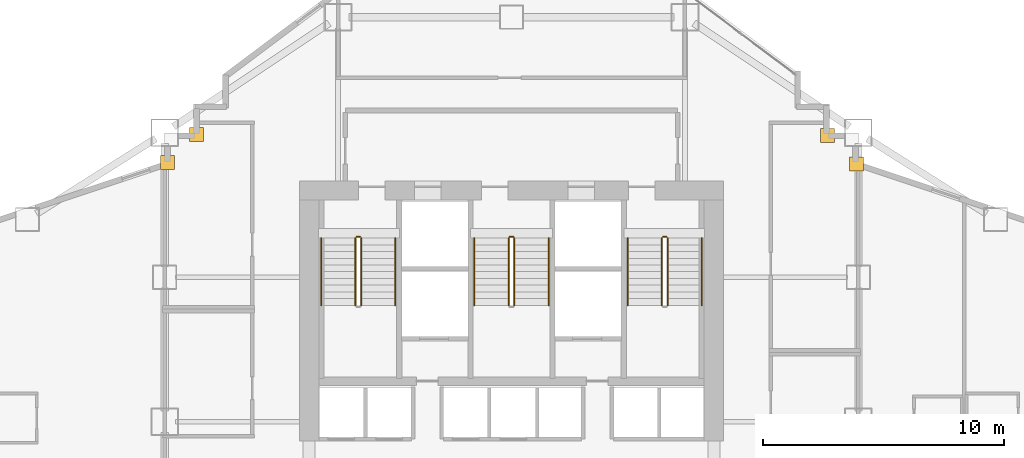
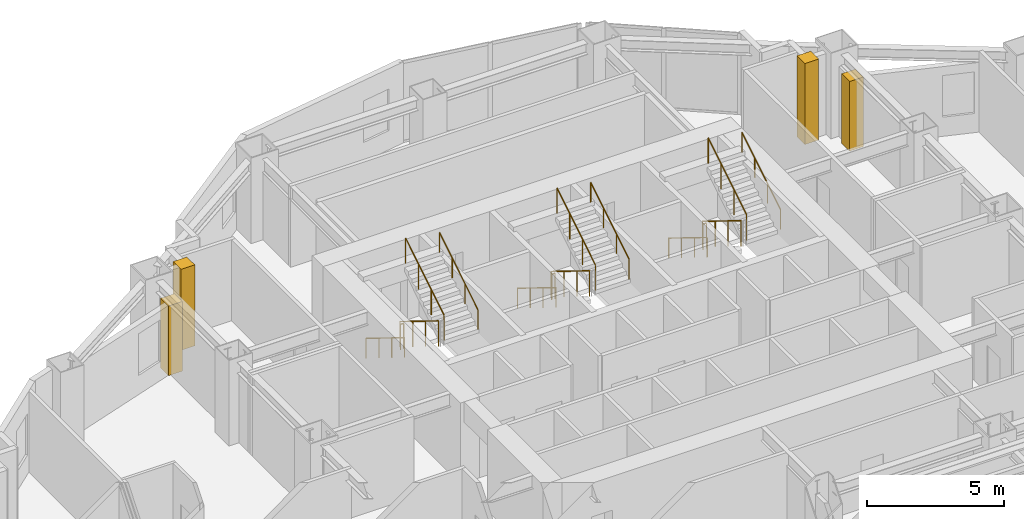
# One storey, part 16 of 17: 15 railings, 4 coverings.
"""IFC4 building model written with IfcOpenShell, lengths in metres."""

from ifc_helpers import new_model, si_unit, direction, frame, origin, origin_2d, place, context, subcontext, project, spatial, rectangle, circle, extrude, material, layer, layer_set, type_object, element, save


model = new_model("IFC4")

# Units and contexts
model_context = context("Model", 3, precision=1e-05, world=origin(), true_north=direction((0.0, 1.0)))
body_context = subcontext(model_context, "Body", "Model", "MODEL_VIEW")
ifc_project = project(units=[si_unit("LENGTHUNIT", "METRE"), si_unit("AREAUNIT", "SQUARE_METRE"), si_unit("VOLUMEUNIT", "CUBIC_METRE"), si_unit("PLANEANGLEUNIT", "RADIAN"), si_unit("MASSUNIT", "GRAM", prefix="KILO")], contexts=[model_context])

# Site, building, storey
site_placement = place(None, origin())
site = spatial("IfcSite", under=ifc_project, at=site_placement, CompositionType="ELEMENT")
building_placement = place(site_placement, origin())
building = spatial("IfcBuilding", under=site, at=building_placement, Name="Haolan Belvedere Tower", CompositionType="ELEMENT")
storey_placement = place(building_placement, frame((0.0, 0.0, 59.0)))
storey = spatial("IfcBuildingStorey", under=building, at=storey_placement, Name="L14", CompositionType="ELEMENT", Elevation=59.0)

# Coverings
ifc_material_1 = material(Name="Pale champagne-silver anodised aluminium rainscreen cladding", Category="aluminium")
ifc_layer = layer(ifc_material_1, 0.034912109375, Name="Pale champagne-silver anodised aluminium rainscreen cladding")
ifc_layer_set = layer_set([ifc_layer], Name="Pale champagne-silver anodised aluminium rainscreen cladding")
covering_type = type_object("IfcCoveringType", Name="COV-CLAD-35", PredefinedType="CLADDING", material=ifc_layer_set)
covering_1_placement = place(storey_placement, frame((52.72021484375, 44.300048828125, 0.0), z_axis=(0.0, 0.0, 1.0), x_axis=(1.0, 0.0, 0.0)))
element("IfcCovering", 1, at=covering_1_placement, inside=storey, type_object=covering_type, Name="L14 pale-metal serrated corner cladding trim 7", PredefinedType="CLADDING", context=body_context, shape_type="SweptSolid", body=[
    extrude(rectangle(XDim=0.580078125, YDim=0.580078125, at=origin_2d()), origin(), (0.0, 0.0, 1.0), 3.096923828125),
])
for number, where, z_axis, x_axis, name in (
    (2, (51.5224609375, 45.47998046875, 0.0), (0.0, 0.0, 1.0), (1.0, 0.0, 0.0), "L14 pale-metal serrated corner cladding trim 8"),
    (3, (25.320068359375, 45.5224609375, 0.0), (0.0, 0.0, 1.0), (1.0, 0.0, 0.0), "L14 pale-metal serrated corner cladding trim 9"),
):
    element("IfcCovering", number, at=place(storey_placement, frame(where, z_axis=z_axis, x_axis=x_axis)), inside=storey, type_object=covering_type, Name=name, PredefinedType="CLADDING", context=body_context, shape_type="SweptSolid", body=[
        extrude(rectangle(XDim=0.580078125, YDim=0.580078125, at=origin_2d()), origin(), (0.0, 0.0, 1.0), 3.60009765625),
    ])
covering_2_placement = place(storey_placement, frame((24.1201171875, 44.35595703125, 0.0), z_axis=(0.0, 0.0, 1.0), x_axis=(1.0, 0.0, 0.0)))
element("IfcCovering", 4, at=covering_2_placement, inside=storey, type_object=covering_type, Name="L14 pale-metal serrated corner cladding trim 10", PredefinedType="CLADDING", context=body_context, shape_type="SweptSolid", body=[
    extrude(rectangle(XDim=0.580078125, YDim=0.580078125, at=origin_2d()), origin(), (0.0, 0.0, 1.0), 3.096923828125),
])

# Railings
ifc_material_2 = material(Name="Brushed stainless steel 304", Category="steel")
railing_type_1 = type_object("IfcRailingType", Name="RL-STAIR-GRD-1150", PredefinedType="GUARDRAIL", material=ifc_material_2)
railing_1_placement = place(storey_placement, frame((31.919921875, 41.22998046875, 0.172607421875)))
element("IfcRailing", 5, at=railing_1_placement, inside=storey, type_object=railing_type_1, Name="L14 ST1 stair guard 1", PredefinedType="GUARDRAIL", context=body_context, shape_type="SweptSolid", body=[
    extrude(circle(Radius=0.02392578125, at=origin_2d()), frame((0.0, 0.0, 1.1259765625), z_axis=(0.0, -0.851089632645, 0.525020415988), x_axis=(1.0, 0.0, 0.0)), (0.0, 0.0, 1.0), 3.2900390625),
    extrude(circle(Radius=0.02099609375, at=origin_2d()), origin(), (0.0, 0.0, 1.0), 1.101806640625),
    extrude(circle(Radius=0.02099609375, at=origin_2d()), frame((0.0, -0.933349609375, 0.57568359375)), (0.0, 0.0, 1.0), 1.101806640625),
    extrude(circle(Radius=0.02099609375, at=origin_2d()), frame((0.0, -1.86669921875, 1.151611328125)), (0.0, 0.0, 1.0), 1.101806640625),
    extrude(circle(Radius=0.02099609375, at=origin_2d()), frame((0.0, -2.800048828125, 1.727294921875)), (0.0, 0.0, 1.0), 1.101806640625),
])
railing_2_placement = place(storey_placement, frame((32.159912109375, 38.429931640625, 2.07275390625)))
element("IfcRailing", 6, at=railing_2_placement, inside=storey, type_object=railing_type_1, Name="L14 ST1 stair guard 3", PredefinedType="GUARDRAIL", context=body_context, shape_type="SweptSolid", body=[
    extrude(circle(Radius=0.02392578125, at=origin_2d()), frame((0.0, 0.0, 1.1259765625), z_axis=(0.0, 0.851089632645, 0.525020415988), x_axis=(-1.0, 0.0, 0.0)), (0.0, 0.0, 1.0), 3.2900390625),
    extrude(circle(Radius=0.02099609375, at=origin_2d()), origin(), (0.0, 0.0, 1.0), 1.101806640625),
    extrude(circle(Radius=0.02099609375, at=origin_2d()), frame((0.0, 0.933349609375, 0.57568359375)), (0.0, 0.0, 1.0), 1.101806640625),
    extrude(circle(Radius=0.02099609375, at=origin_2d()), frame((0.0, 1.86669921875, 1.151611328125)), (0.0, 0.0, 1.0), 1.101806640625),
    extrude(circle(Radius=0.02099609375, at=origin_2d()), frame((0.0, 2.800048828125, 1.727294921875)), (0.0, 0.0, 1.0), 1.101806640625),
])
railing_3_placement = place(storey_placement, frame((31.969970703125, 41.280029296875, 0.0)))
element("IfcRailing", 7, at=railing_3_placement, inside=storey, type_object=railing_type_1, Name="L14 ST1 stair guard 4", PredefinedType="GUARDRAIL", context=body_context, shape_type="SweptSolid", body=[
    extrude(circle(Radius=0.02392578125, at=origin_2d()), frame((0.0, 0.0, 1.1259765625), z_axis=(1.0, 0.0, 0.0), x_axis=(0.0, 1.0, 0.0)), (0.0, 0.0, 1.0), 0.14013671875),
    extrude(circle(Radius=0.02099609375, at=origin_2d()), origin(), (0.0, 0.0, 1.0), 1.101806640625),
    extrude(circle(Radius=0.02099609375, at=origin_2d()), frame((0.14013671875, 0.0, 0.0)), (0.0, 0.0, 1.0), 1.101806640625),
])
railing_4_placement = place(storey_placement, frame((38.280029296875, 41.22998046875, 0.172607421875)))
element("IfcRailing", 8, at=railing_4_placement, inside=storey, type_object=railing_type_1, Name="L14 ST3 stair guard 1", PredefinedType="GUARDRAIL", context=body_context, shape_type="SweptSolid", body=[
    extrude(circle(Radius=0.02392578125, at=origin_2d()), frame((0.0, 0.0, 1.1259765625), z_axis=(0.0, -0.851089632645, 0.525020415988), x_axis=(1.0, 0.0, 0.0)), (0.0, 0.0, 1.0), 3.2900390625),
    extrude(circle(Radius=0.02099609375, at=origin_2d()), origin(), (0.0, 0.0, 1.0), 1.101806640625),
    extrude(circle(Radius=0.02099609375, at=origin_2d()), frame((0.0, -0.933349609375, 0.57568359375)), (0.0, 0.0, 1.0), 1.101806640625),
    extrude(circle(Radius=0.02099609375, at=origin_2d()), frame((0.0, -1.86669921875, 1.151611328125)), (0.0, 0.0, 1.0), 1.101806640625),
    extrude(circle(Radius=0.02099609375, at=origin_2d()), frame((0.0, -2.800048828125, 1.727294921875)), (0.0, 0.0, 1.0), 1.101806640625),
])
railing_5_placement = place(storey_placement, frame((38.52001953125, 38.429931640625, 2.07275390625)))
element("IfcRailing", 9, at=railing_5_placement, inside=storey, type_object=railing_type_1, Name="L14 ST3 stair guard 3", PredefinedType="GUARDRAIL", context=body_context, shape_type="SweptSolid", body=[
    extrude(circle(Radius=0.02392578125, at=origin_2d()), frame((0.0, 0.0, 1.1259765625), z_axis=(0.0, 0.851089632645, 0.525020415988), x_axis=(-1.0, 0.0, 0.0)), (0.0, 0.0, 1.0), 3.2900390625),
    extrude(circle(Radius=0.02099609375, at=origin_2d()), origin(), (0.0, 0.0, 1.0), 1.101806640625),
    extrude(circle(Radius=0.02099609375, at=origin_2d()), frame((0.0, 0.933349609375, 0.57568359375)), (0.0, 0.0, 1.0), 1.101806640625),
    extrude(circle(Radius=0.02099609375, at=origin_2d()), frame((0.0, 1.86669921875, 1.151611328125)), (0.0, 0.0, 1.0), 1.101806640625),
    extrude(circle(Radius=0.02099609375, at=origin_2d()), frame((0.0, 2.800048828125, 1.727294921875)), (0.0, 0.0, 1.0), 1.101806640625),
])
railing_6_placement = place(storey_placement, frame((38.330078125, 41.280029296875, 0.0)))
element("IfcRailing", 10, at=railing_6_placement, inside=storey, type_object=railing_type_1, Name="L14 ST3 stair guard 4", PredefinedType="GUARDRAIL", context=body_context, shape_type="SweptSolid", body=[
    extrude(circle(Radius=0.02392578125, at=origin_2d()), frame((0.0, 0.0, 1.1259765625), z_axis=(1.0, 0.0, 0.0), x_axis=(0.0, 1.0, 0.0)), (0.0, 0.0, 1.0), 0.139892578125),
    extrude(circle(Radius=0.02099609375, at=origin_2d()), origin(), (0.0, 0.0, 1.0), 1.101806640625),
    extrude(circle(Radius=0.02099609375, at=origin_2d()), frame((0.139892578125, 0.0, 0.0)), (0.0, 0.0, 1.0), 1.101806640625),
])
railing_7_placement = place(storey_placement, frame((44.639892578125, 41.22998046875, 0.172607421875)))
element("IfcRailing", 11, at=railing_7_placement, inside=storey, type_object=railing_type_1, Name="L14 ST2 stair guard 1", PredefinedType="GUARDRAIL", context=body_context, shape_type="SweptSolid", body=[
    extrude(circle(Radius=0.02392578125, at=origin_2d()), frame((0.0, 0.0, 1.1259765625), z_axis=(0.0, -0.851089632645, 0.525020415988), x_axis=(1.0, 0.0, 0.0)), (0.0, 0.0, 1.0), 3.2900390625),
    extrude(circle(Radius=0.02099609375, at=origin_2d()), origin(), (0.0, 0.0, 1.0), 1.101806640625),
    extrude(circle(Radius=0.02099609375, at=origin_2d()), frame((0.0, -0.933349609375, 0.57568359375)), (0.0, 0.0, 1.0), 1.101806640625),
    extrude(circle(Radius=0.02099609375, at=origin_2d()), frame((0.0, -1.86669921875, 1.151611328125)), (0.0, 0.0, 1.0), 1.101806640625),
    extrude(circle(Radius=0.02099609375, at=origin_2d()), frame((0.0, -2.800048828125, 1.727294921875)), (0.0, 0.0, 1.0), 1.101806640625),
])
railing_8_placement = place(storey_placement, frame((44.8798828125, 38.429931640625, 2.07275390625)))
element("IfcRailing", 12, at=railing_8_placement, inside=storey, type_object=railing_type_1, Name="L14 ST2 stair guard 3", PredefinedType="GUARDRAIL", context=body_context, shape_type="SweptSolid", body=[
    extrude(circle(Radius=0.02392578125, at=origin_2d()), frame((0.0, 0.0, 1.1259765625), z_axis=(0.0, 0.851089632645, 0.525020415988), x_axis=(-1.0, 0.0, 0.0)), (0.0, 0.0, 1.0), 3.2900390625),
    extrude(circle(Radius=0.02099609375, at=origin_2d()), origin(), (0.0, 0.0, 1.0), 1.101806640625),
    extrude(circle(Radius=0.02099609375, at=origin_2d()), frame((0.0, 0.933349609375, 0.57568359375)), (0.0, 0.0, 1.0), 1.101806640625),
    extrude(circle(Radius=0.02099609375, at=origin_2d()), frame((0.0, 1.86669921875, 1.151611328125)), (0.0, 0.0, 1.0), 1.101806640625),
    extrude(circle(Radius=0.02099609375, at=origin_2d()), frame((0.0, 2.800048828125, 1.727294921875)), (0.0, 0.0, 1.0), 1.101806640625),
])
railing_9_placement = place(storey_placement, frame((44.68994140625, 41.280029296875, 0.0)))
element("IfcRailing", 13, at=railing_9_placement, inside=storey, type_object=railing_type_1, Name="L14 ST2 stair guard 4", PredefinedType="GUARDRAIL", context=body_context, shape_type="SweptSolid", body=[
    extrude(circle(Radius=0.02392578125, at=origin_2d()), frame((0.0, 0.0, 1.1259765625), z_axis=(1.0, 0.0, 0.0), x_axis=(0.0, 1.0, 0.0)), (0.0, 0.0, 1.0), 0.14013671875),
    extrude(circle(Radius=0.02099609375, at=origin_2d()), origin(), (0.0, 0.0, 1.0), 1.101806640625),
    extrude(circle(Radius=0.02099609375, at=origin_2d()), frame((0.14013671875, 0.0, 0.0)), (0.0, 0.0, 1.0), 1.101806640625),
])
railing_type_2 = type_object("IfcRailingType", Name="RL-STAIR-HND-900", PredefinedType="HANDRAIL", material=ifc_material_2)
railing_10_placement = place(storey_placement, frame((30.5, 41.22998046875, 0.172607421875)))
element("IfcRailing", 14, at=railing_10_placement, inside=storey, type_object=railing_type_2, Name="L14 ST1 stair handrail 1", PredefinedType="HANDRAIL", context=body_context, shape_type="SweptSolid", body=[
    extrude(circle(Radius=0.02392578125, at=origin_2d()), frame((0.0, 0.0, 0.8759765625), z_axis=(0.0, -0.851089632645, 0.525020415988), x_axis=(1.0, 0.0, 0.0)), (0.0, 0.0, 1.0), 3.2900390625),
    extrude(circle(Radius=0.02099609375, at=origin_2d()), origin(), (0.0, 0.0, 1.0), 0.851806640625),
    extrude(circle(Radius=0.02099609375, at=origin_2d()), frame((0.0, -0.933349609375, 0.57568359375)), (0.0, 0.0, 1.0), 0.851806640625),
    extrude(circle(Radius=0.02099609375, at=origin_2d()), frame((0.0, -1.86669921875, 1.151611328125)), (0.0, 0.0, 1.0), 0.851806640625),
    extrude(circle(Radius=0.02099609375, at=origin_2d()), frame((0.0, -2.800048828125, 1.727294921875)), (0.0, 0.0, 1.0), 0.851806640625),
])
railing_11_placement = place(storey_placement, frame((33.580078125, 38.429931640625, 2.07275390625)))
element("IfcRailing", 15, at=railing_11_placement, inside=storey, type_object=railing_type_2, Name="L14 ST1 stair handrail 2", PredefinedType="HANDRAIL", context=body_context, shape_type="SweptSolid", body=[
    extrude(circle(Radius=0.02392578125, at=origin_2d()), frame((0.0, 0.0, 0.8759765625), z_axis=(0.0, 0.851089632645, 0.525020415988), x_axis=(-1.0, 0.0, 0.0)), (0.0, 0.0, 1.0), 3.2900390625),
    extrude(circle(Radius=0.02099609375, at=origin_2d()), origin(), (0.0, 0.0, 1.0), 0.851806640625),
    extrude(circle(Radius=0.02099609375, at=origin_2d()), frame((0.0, 0.933349609375, 0.57568359375)), (0.0, 0.0, 1.0), 0.851806640625),
    extrude(circle(Radius=0.02099609375, at=origin_2d()), frame((0.0, 1.86669921875, 1.151611328125)), (0.0, 0.0, 1.0), 0.851806640625),
    extrude(circle(Radius=0.02099609375, at=origin_2d()), frame((0.0, 2.800048828125, 1.727294921875)), (0.0, 0.0, 1.0), 0.851806640625),
])
railing_12_placement = place(storey_placement, frame((36.860107421875, 41.22998046875, 0.172607421875)))
element("IfcRailing", 16, at=railing_12_placement, inside=storey, type_object=railing_type_2, Name="L14 ST3 stair handrail 1", PredefinedType="HANDRAIL", context=body_context, shape_type="SweptSolid", body=[
    extrude(circle(Radius=0.02392578125, at=origin_2d()), frame((0.0, 0.0, 0.8759765625), z_axis=(0.0, -0.851089632645, 0.525020415988), x_axis=(1.0, 0.0, 0.0)), (0.0, 0.0, 1.0), 3.2900390625),
    extrude(circle(Radius=0.02099609375, at=origin_2d()), origin(), (0.0, 0.0, 1.0), 0.851806640625),
    extrude(circle(Radius=0.02099609375, at=origin_2d()), frame((0.0, -0.933349609375, 0.57568359375)), (0.0, 0.0, 1.0), 0.851806640625),
    extrude(circle(Radius=0.02099609375, at=origin_2d()), frame((0.0, -1.86669921875, 1.151611328125)), (0.0, 0.0, 1.0), 0.851806640625),
    extrude(circle(Radius=0.02099609375, at=origin_2d()), frame((0.0, -2.800048828125, 1.727294921875)), (0.0, 0.0, 1.0), 0.851806640625),
])
railing_13_placement = place(storey_placement, frame((39.93994140625, 38.429931640625, 2.07275390625)))
element("IfcRailing", 17, at=railing_13_placement, inside=storey, type_object=railing_type_2, Name="L14 ST3 stair handrail 2", PredefinedType="HANDRAIL", context=body_context, shape_type="SweptSolid", body=[
    extrude(circle(Radius=0.02392578125, at=origin_2d()), frame((0.0, 0.0, 0.8759765625), z_axis=(0.0, 0.851089632645, 0.525020415988), x_axis=(-1.0, 0.0, 0.0)), (0.0, 0.0, 1.0), 3.2900390625),
    extrude(circle(Radius=0.02099609375, at=origin_2d()), origin(), (0.0, 0.0, 1.0), 0.851806640625),
    extrude(circle(Radius=0.02099609375, at=origin_2d()), frame((0.0, 0.933349609375, 0.57568359375)), (0.0, 0.0, 1.0), 0.851806640625),
    extrude(circle(Radius=0.02099609375, at=origin_2d()), frame((0.0, 1.86669921875, 1.151611328125)), (0.0, 0.0, 1.0), 0.851806640625),
    extrude(circle(Radius=0.02099609375, at=origin_2d()), frame((0.0, 2.800048828125, 1.727294921875)), (0.0, 0.0, 1.0), 0.851806640625),
])
railing_14_placement = place(storey_placement, frame((43.219970703125, 41.22998046875, 0.172607421875)))
element("IfcRailing", 18, at=railing_14_placement, inside=storey, type_object=railing_type_2, Name="L14 ST2 stair handrail 1", PredefinedType="HANDRAIL", context=body_context, shape_type="SweptSolid", body=[
    extrude(circle(Radius=0.02392578125, at=origin_2d()), frame((0.0, 0.0, 0.8759765625), z_axis=(0.0, -0.851089632645, 0.525020415988), x_axis=(1.0, 0.0, 0.0)), (0.0, 0.0, 1.0), 3.2900390625),
    extrude(circle(Radius=0.02099609375, at=origin_2d()), origin(), (0.0, 0.0, 1.0), 0.851806640625),
    extrude(circle(Radius=0.02099609375, at=origin_2d()), frame((0.0, -0.933349609375, 0.57568359375)), (0.0, 0.0, 1.0), 0.851806640625),
    extrude(circle(Radius=0.02099609375, at=origin_2d()), frame((0.0, -1.86669921875, 1.151611328125)), (0.0, 0.0, 1.0), 0.851806640625),
    extrude(circle(Radius=0.02099609375, at=origin_2d()), frame((0.0, -2.800048828125, 1.727294921875)), (0.0, 0.0, 1.0), 0.851806640625),
])
railing_15_placement = place(storey_placement, frame((46.300048828125, 38.429931640625, 2.07275390625)))
element("IfcRailing", 19, at=railing_15_placement, inside=storey, type_object=railing_type_2, Name="L14 ST2 stair handrail 2", PredefinedType="HANDRAIL", context=body_context, shape_type="SweptSolid", body=[
    extrude(circle(Radius=0.02392578125, at=origin_2d()), frame((0.0, 0.0, 0.8759765625), z_axis=(0.0, 0.851089632645, 0.525020415988), x_axis=(-1.0, 0.0, 0.0)), (0.0, 0.0, 1.0), 3.2900390625),
    extrude(circle(Radius=0.02099609375, at=origin_2d()), origin(), (0.0, 0.0, 1.0), 0.851806640625),
    extrude(circle(Radius=0.02099609375, at=origin_2d()), frame((0.0, 0.933349609375, 0.57568359375)), (0.0, 0.0, 1.0), 0.851806640625),
    extrude(circle(Radius=0.02099609375, at=origin_2d()), frame((0.0, 1.86669921875, 1.151611328125)), (0.0, 0.0, 1.0), 0.851806640625),
    extrude(circle(Radius=0.02099609375, at=origin_2d()), frame((0.0, 2.800048828125, 1.727294921875)), (0.0, 0.0, 1.0), 0.851806640625),
])

save(model, "model.ifc")
